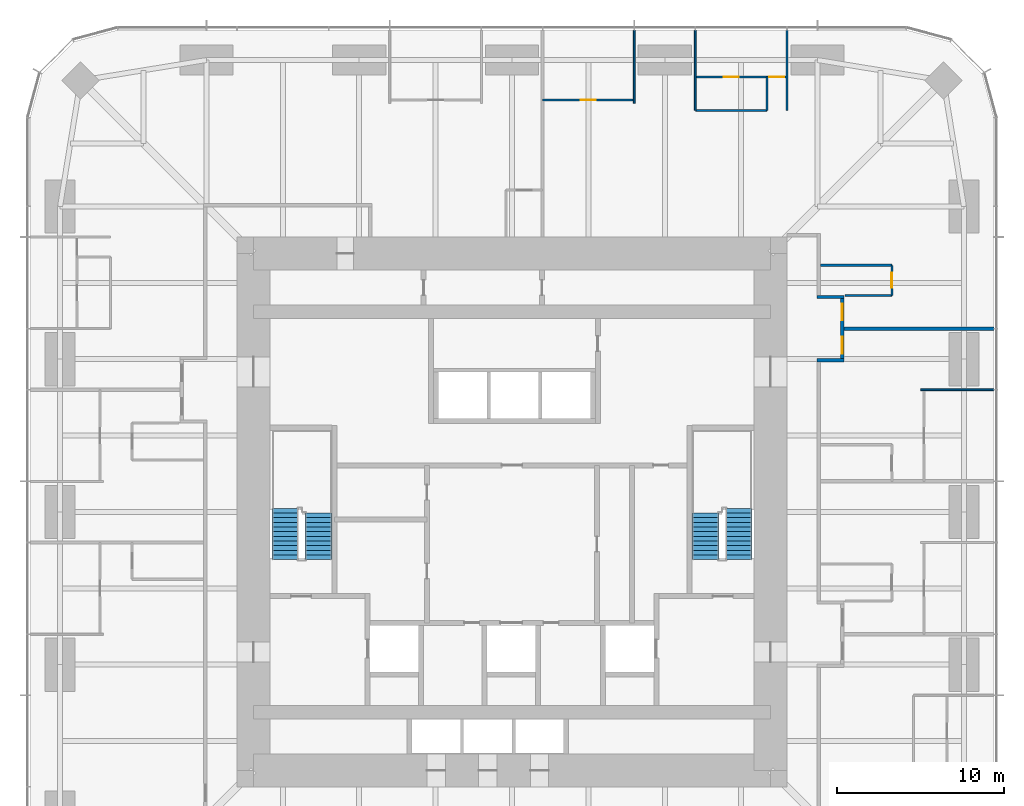
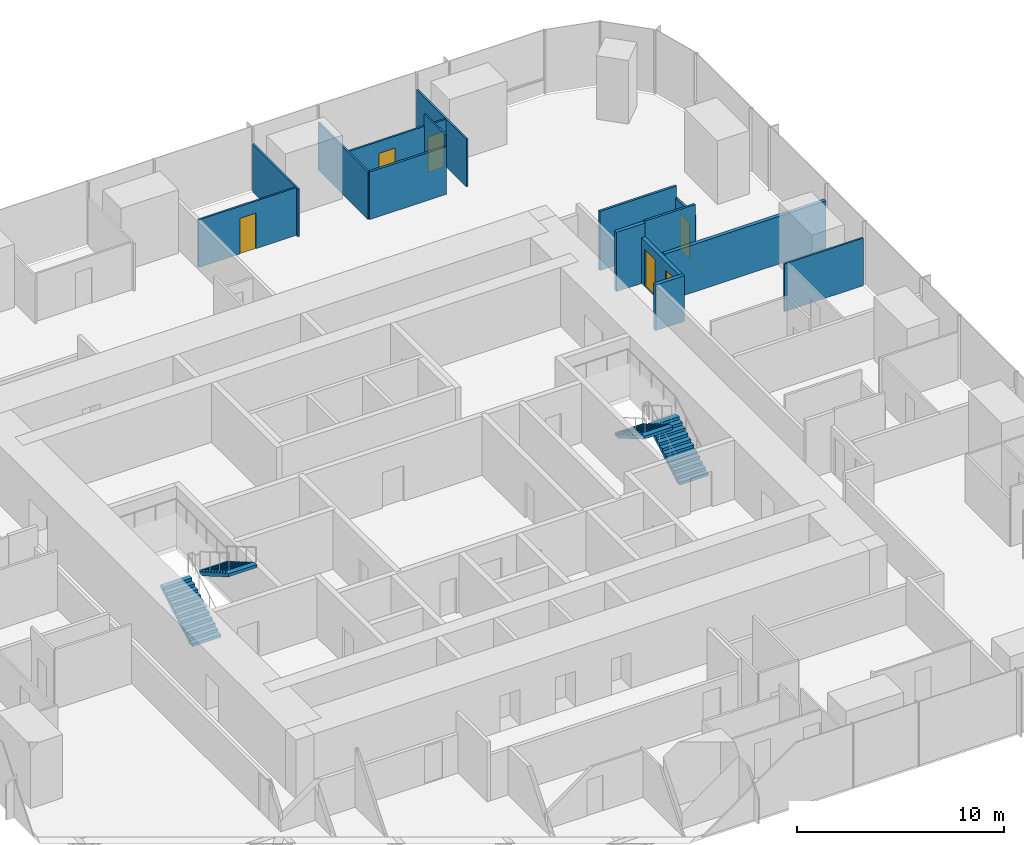
# One storey, part 12 of 13: 15 walls, 6 doors, 4 stair flights, 6 openings, 2 elements without a shape of their own.
"""IFC4 building model written with IfcOpenShell, lengths in metres."""

import ifcopenshell
import ifcopenshell.guid

model = None  # the IFC model being written
_history = None  # IfcOwnerHistory: only IFC2X3 demands one
_inside = {}  # id of a spatial element -> (the spatial element, [elements in it])
_under = {}  # id of a project, library or spatial element -> (it, [spatial elements below it])
_declared = {}  # id of a project -> (the project, [libraries it declares])
_typed = {}  # id of a type object -> (the type object, [elements of that type])
_made_of = {}  # id of a material, layer set ... -> (it, [elements and type objects made of it])


def new_model(schema):
    """Start an empty IFC model of exactly this schema.

    Asked for "IFC4X3", IfcOpenShell would pick the latest addendum, in which some entities
    have other attributes; the version numbers below select the first issue.
    IFC2X3 requires an IfcOwnerHistory on every rooted entity: one is made here for all.
    """
    global model, _history
    if schema == "IFC4X3":
        model = ifcopenshell.file(schema_version=(4, 3, 0, 0))
    else:
        model = ifcopenshell.file(schema=schema)
    _inside.clear()
    _under.clear()
    _declared.clear()
    _typed.clear()
    _made_of.clear()
    _history = None
    if model.schema == "IFC2X3":
        org = make("IfcOrganization", Name="unknown")
        user = make(
            "IfcPersonAndOrganization",
            ThePerson=make("IfcPerson", FamilyName="unknown"),
            TheOrganization=org,
        )
        app = make(
            "IfcApplication",
            ApplicationDeveloper=org,
            Version="unknown",
            ApplicationFullName="unknown",
            ApplicationIdentifier="unknown",
        )
        _history = make(
            "IfcOwnerHistory",
            OwningUser=user,
            OwningApplication=app,
            ChangeAction="ADDED",
            CreationDate=0,
        )
    return model


def make(cls, **values):
    """One entity of the class cls with the attributes given. An attribute that is None is left unset."""
    return model.create_entity(
        cls, **{name: value for name, value in values.items() if value is not None}
    )


def rooted(cls, **values):
    """An entity with a GlobalId (a new one), such as an element, a storey or a relation."""
    return make(cls, GlobalId=ifcopenshell.guid.new(), OwnerHistory=_history, **values)


def si_unit(unit_type, name, prefix=None):
    """IfcSIUnit, for example si_unit("LENGTHUNIT", "METRE", prefix="MILLI")."""
    return make("IfcSIUnit", UnitType=unit_type, Prefix=prefix, Name=name)


def assignment(units):
    """IfcUnitAssignment: the units of a project."""
    return None if units is None else make("IfcUnitAssignment", Units=units)


def point(xyz):
    """IfcCartesianPoint."""
    return None if xyz is None else make("IfcCartesianPoint", Coordinates=xyz)


def direction(xyz):
    """IfcDirection."""
    return None if xyz is None else make("IfcDirection", DirectionRatios=xyz)


def frame(location, z_axis=None, x_axis=None):
    """IfcAxis2Placement3D, a coordinate frame: its origin and axes. An axis left out is left unset."""
    return make(
        "IfcAxis2Placement3D",
        Location=point(location),
        Axis=direction(z_axis),
        RefDirection=direction(x_axis),
    )


def frame_2d(location, x_axis=None):
    """IfcAxis2Placement2D, a coordinate frame in the plane: its origin and x axis."""
    return make(
        "IfcAxis2Placement2D", Location=point(location), RefDirection=direction(x_axis)
    )


def origin():
    """The frame at (0, 0, 0) with its axes left unset."""
    return frame((0.0, 0.0, 0.0))


def place(relative_to, where):
    """IfcLocalPlacement: puts the frame where relative to a parent placement (None: the world)."""
    return make(
        "IfcLocalPlacement", PlacementRelTo=relative_to, RelativePlacement=where
    )


def context(
    kind, dimensions, precision=None, world=None, true_north=None, identifier=None
):
    """IfcGeometricRepresentationContext, for example the 3D "Model" context."""
    return make(
        "IfcGeometricRepresentationContext",
        ContextIdentifier=identifier,
        ContextType=kind,
        CoordinateSpaceDimension=dimensions,
        Precision=precision,
        WorldCoordinateSystem=world,
        TrueNorth=true_north,
    )


def subcontext(parent, identifier, kind, view, scale=None):
    """IfcGeometricRepresentationSubContext, for example "Body" below "Model"."""
    return make(
        "IfcGeometricRepresentationSubContext",
        ContextIdentifier=identifier,
        ContextType=kind,
        ParentContext=parent,
        TargetScale=scale,
        TargetView=view,
    )


def project(units=None, contexts=None):
    """IfcProject with its units and contexts."""
    return rooted(
        "IfcProject",
        Name="project",
        RepresentationContexts=contexts,
        UnitsInContext=assignment(units),
    )


def spatial(cls, under=None, at=None, **own):
    """A site, building, storey or space (cls), placed at a placement, below another one or the project."""
    s = rooted(cls, ObjectPlacement=at, **own)
    if under is not None:
        _under.setdefault(under.id(), (under, []))[1].append(s)
    return s


def polyline(points):
    """IfcPolyline through the points."""
    return make("IfcPolyline", Points=[point(p) for p in points])


def profile(cls, at=None, kind="AREA", **sizes):
    """A parametric profile (cls). Its sizes go by their IFC names, for example OverallWidth=200.0."""
    return make(cls, ProfileType=kind, Position=at, **sizes)


def rectangle(**sizes):
    """IfcRectangleProfileDef."""
    return profile("IfcRectangleProfileDef", **sizes)


def outline(outer, holes=None, kind="AREA"):
    """IfcArbitraryClosedProfileDef: a profile drawn as a closed curve; with holes, ...WithVoids."""
    if holes is None:
        return make("IfcArbitraryClosedProfileDef", ProfileType=kind, OuterCurve=outer)
    return make(
        "IfcArbitraryProfileDefWithVoids",
        ProfileType=kind,
        OuterCurve=outer,
        InnerCurves=holes,
    )


def extrude(swept, where, along, depth):
    """IfcExtrudedAreaSolid: the profile swept, set in the frame where, extruded along a direction by depth."""
    return make(
        "IfcExtrudedAreaSolid",
        SweptArea=swept,
        Position=where,
        ExtrudedDirection=direction(along),
        Depth=depth,
    )


def shape(context_of_items, identifier, shape_type, items):
    """IfcShapeRepresentation: the items that make up one representation, for example the "Body"."""
    return make(
        "IfcShapeRepresentation",
        ContextOfItems=context_of_items,
        RepresentationIdentifier=identifier,
        RepresentationType=shape_type,
        Items=items,
    )


def material(Name=None, Category=None):
    """IfcMaterial."""
    return make("IfcMaterial", Name=Name, Category=Category)


def layer(
    of_material, thickness, ventilated=None, Name=None, Category=None, Priority=None
):
    """IfcMaterialLayer: one layer of a wall or slab, of a material (None: an air gap)."""
    return make(
        "IfcMaterialLayer",
        Material=of_material,
        LayerThickness=thickness,
        IsVentilated=ventilated,
        Name=Name,
        Category=Category,
        Priority=Priority,
    )


def layer_set(layers, Name=None):
    """IfcMaterialLayerSet."""
    return make("IfcMaterialLayerSet", MaterialLayers=layers, LayerSetName=Name)


def made_of(thing, what):
    """Note that an element or type object is made of a material, layer set ...; save() writes the relation."""
    if what is not None:
        _made_of.setdefault(what.id(), (what, []))[1].append(thing)
    return thing


def type_object(cls, material=None, **own):
    """A type object (cls), such as IfcWallType, which elements share."""
    return made_of(rooted(cls, **own), material)


def element(
    cls,
    number,
    at=None,
    inside=None,
    cuts=None,
    type_object=None,
    material=None,
    context=None,
    identifier="Body",
    shape_type=None,
    held_by="IfcProductDefinitionShape",
    body=None,
    shapes=None,
    **own,
):
    """One element of the class cls, such as IfcWall. Its Tag is "e" and its number.

    at: its placement. inside: the storey or other place that contains it. cuts: it is an
    opening in that element (IfcRelVoidsElement). A single representation is given by context,
    identifier, shape_type and body (its items); several are given by shapes. held_by: the class
    of the entity that holds the representations. save() writes the other relations.
    """
    e = rooted(cls, Tag="e%d" % number, ObjectPlacement=at, **own)
    if body is not None:
        shapes = [shape(context, identifier, shape_type, body)]
    if shapes is not None:
        e.Representation = make(held_by, Representations=shapes)
    if inside is not None:
        _inside.setdefault(inside.id(), (inside, []))[1].append(e)
    if cuts is not None:
        rooted(
            "IfcRelVoidsElement", RelatingBuildingElement=cuts, RelatedOpeningElement=e
        )
    if type_object is not None:
        _typed.setdefault(type_object.id(), (type_object, []))[1].append(e)
    return made_of(e, material)


def fill(opening, filler):
    """IfcRelFillsElement: the door or window that sits in an opening."""
    return rooted(
        "IfcRelFillsElement",
        RelatingOpeningElement=opening,
        RelatedBuildingElement=filler,
    )


def aggregate(whole, parts):
    """IfcRelAggregates: a whole, such as a stair, and the parts it consists of."""
    return rooted("IfcRelAggregates", RelatingObject=whole, RelatedObjects=parts)


def save(model, path):
    """Write the relations noted so far, then the file.

    IfcRelAggregates (storeys below a building ...), IfcRelContainedInSpatialStructure (elements
    in a storey), IfcRelDefinesByType, IfcRelAssociatesMaterial and IfcRelDeclares: one each for
    every whole, place, type object, material and project.
    """
    for whole, parts in _under.values():
        aggregate(whole, parts)
    for where, things in _inside.values():
        rooted(
            "IfcRelContainedInSpatialStructure",
            RelatedElements=things,
            RelatingStructure=where,
        )
    for kind, things in _typed.values():
        rooted("IfcRelDefinesByType", RelatedObjects=things, RelatingType=kind)
    for what, things in _made_of.values():
        rooted("IfcRelAssociatesMaterial", RelatedObjects=things, RelatingMaterial=what)
    for by, libraries in _declared.values():
        rooted("IfcRelDeclares", RelatingContext=by, RelatedDefinitions=libraries)
    model.write(path)


model = new_model("IFC4")

# Units and contexts
model_context = context("Model", 3, precision=1e-05, world=origin(), true_north=direction((0.0, 1.0)))
body_context = subcontext(model_context, "Body", "Model", "MODEL_VIEW")
ifc_project = project(units=[si_unit("LENGTHUNIT", "METRE"), si_unit("AREAUNIT", "SQUARE_METRE"), si_unit("VOLUMEUNIT", "CUBIC_METRE"), si_unit("PLANEANGLEUNIT", "RADIAN"), si_unit("MASSUNIT", "GRAM", prefix="KILO")], contexts=[model_context])

# Site, building, storey
site_placement = place(None, origin())
site = spatial("IfcSite", under=ifc_project, at=site_placement, CompositionType="ELEMENT")
building_placement = place(site_placement, origin())
building = spatial("IfcBuilding", under=site, at=building_placement, Name="Khuree Lantern Residences", CompositionType="ELEMENT")
storey_placement = place(building_placement, frame((0.0, 0.0, 133.5)))
storey = spatial("IfcBuildingStorey", under=building, at=storey_placement, Name="L33", CompositionType="ELEMENT", Elevation=133.5)

# Wall
ifc_material_1 = material(Name="Moisture-resistant gypsum board on steel studs", Category="steel")
ifc_layer_1 = layer(ifc_material_1, 0.125)
ifc_layer_set_1 = layer_set([ifc_layer_1], Name="BATHROOM WALL BTW125")
wall_type_1 = type_object("IfcWallType", Name="BATHROOM WALL BTW125", PredefinedType="PARTITIONING", material=ifc_layer_set_1)
wall_1_placement = place(storey_placement, frame((15.2880859375, 24.079833984375, 0.0), z_axis=(0.0, 0.0, 1.0), x_axis=(-1.0, 0.0, 0.0)))
element("IfcWall", 1, at=wall_1_placement, inside=storey, type_object=wall_type_1, Name="L33 BATHROOM WALL 03", PredefinedType="PARTITIONING", context=body_context, shape_type="SweptSolid", body=[
    extrude(rectangle(XDim=4.296142578125, YDim=0.125, at=frame_2d((2.14794921875, 0.0))), origin(), (0.0, 0.0, 1.0), 2.81005859375),
])

# Wall, opening, door
wall_2_placement = place(storey_placement, frame((22.77978515625, 12.991943359375, 0.0), z_axis=(0.0, 0.0, 1.0), x_axis=(0.0, 1.0, 0.0)))
wall_2 = element("IfcWall", 2, at=wall_2_placement, inside=storey, type_object=wall_type_1, Name="L33 BATHROOM WALL 03", PredefinedType="PARTITIONING", context=body_context, shape_type="SweptSolid", body=[
    extrude(rectangle(XDim=1.800048828125, YDim=0.125, at=frame_2d((0.89990234375, 0.0))), origin(), (0.0, 0.0, 1.0), 2.81005859375),
])
opening_1_placement = place(wall_2_placement, frame((0.449951171875, 0.0, 0.0)))
opening_1 = element("IfcOpeningElement", 3, at=opening_1_placement, cuts=wall_2, Name="Opening 33-033", PredefinedType="OPENING", context=body_context, shape_type="SweptSolid", body=[
    extrude(rectangle(XDim=0.89990234375, YDim=2.10009765625, at=frame_2d((0.449951171875, 1.050048828125))), frame((0.0, 0.072509765625, 0.0), z_axis=(0.0, -1.0, 0.0), x_axis=(1.0, 0.0, 0.0)), (0.0, 0.0, 1.0), 0.14501953125),
])
ifc_material_2 = material(Name="Timber door leaf in hardwood frame", Category="wood")
door_type_1 = type_object("IfcDoorType", Name="BATHROOM DOOR 900X2100", OperationType="SINGLE_SWING_LEFT", PredefinedType="DOOR", material=ifc_material_2)
door_1_placement = place(opening_1_placement, origin())
door_1 = element("IfcDoor", 4, at=door_1_placement, inside=storey, type_object=door_type_1, Name="Bathroom door 33-033", OperationType="SINGLE_SWING_LEFT", OverallHeight=2.10009765625, OverallWidth=0.89990234375, PredefinedType="DOOR", context=body_context, shape_type="SweptSolid", body=[
    extrude(rectangle(XDim=0.89990234375, YDim=2.10009765625, at=frame_2d((0.449951171875, 1.050048828125))), frame((0.0, 0.02490234375, 0.0), z_axis=(0.0, -1.0, 0.0), x_axis=(1.0, 0.0, 0.0)), (0.0, 0.0, 1.0), 0.050048828125),
])
fill(opening_1, door_1)

# Walls
wall_3_placement = place(storey_placement, frame((19.969970703125, 12.991943359375, 0.0), z_axis=(0.0, 0.0, 1.0), x_axis=(1.0, 0.0, 0.0)))
element("IfcWall", 5, at=wall_3_placement, inside=storey, type_object=wall_type_1, Name="L33 BATHROOM WALL 03", PredefinedType="PARTITIONING", context=body_context, shape_type="SweptSolid", body=[
    extrude(rectangle(XDim=2.809814453125, YDim=0.125, at=frame_2d((1.40478515625, 0.0))), origin(), (0.0, 0.0, 1.0), 3.5),
])
wall_4_placement = place(storey_placement, frame((18.5, 14.7919921875, 0.0), z_axis=(0.0, 0.0, 1.0), x_axis=(1.0, 0.0, 0.0)))
element("IfcWall", 6, at=wall_4_placement, inside=storey, type_object=wall_type_1, Name="L33 BATHROOM WALL 03", PredefinedType="PARTITIONING", context=body_context, shape_type="SweptSolid", body=[
    extrude(rectangle(XDim=4.27978515625, YDim=0.125, at=frame_2d((2.139892578125, 0.0))), origin(), (0.0, 0.0, 1.0), 3.5),
])
ifc_material_3 = material(Name="Gypsum board on steel studs", Category="steel")
ifc_layer_2 = layer(ifc_material_3, 0.199951171875)
ifc_layer_set_2 = layer_set([ifc_layer_2], Name="CORRIDOR WALL CRW200 EI 60")
wall_type_2 = type_object("IfcWallType", Name="CORRIDOR WALL CRW200 EI 60", PredefinedType="PARTITIONING", material=ifc_layer_set_2)
wall_5_placement = place(storey_placement, frame((18.300048828125, 9.092041015625, 0.0), z_axis=(0.0, 0.0, 1.0), x_axis=(1.0, 0.0, 0.0)))
element("IfcWall", 7, at=wall_5_placement, inside=storey, type_object=wall_type_2, Name="L33 CORRIDOR ALCOVE WALL EAST", PredefinedType="PARTITIONING", context=body_context, shape_type="SweptSolid", body=[
    extrude(rectangle(XDim=1.599853515625, YDim=0.199951171875, at=frame_2d((0.7998046875, 0.0))), origin(), (0.0, 0.0, 1.0), 2.699951171875),
])
wall_6_placement = place(storey_placement, frame((18.300048828125, 12.89208984375, 0.0), z_axis=(0.0, 0.0, 1.0), x_axis=(1.0, 0.0, 0.0)))
element("IfcWall", 8, at=wall_6_placement, inside=storey, type_object=wall_type_2, Name="L33 CORRIDOR ALCOVE WALL EAST", PredefinedType="PARTITIONING", context=body_context, shape_type="SweptSolid", body=[
    extrude(rectangle(XDim=1.599853515625, YDim=0.199951171875, at=frame_2d((0.7998046875, 0.0))), origin(), (0.0, 0.0, 1.0), 3.5),
])

# Wall, openings, doors
wall_7_placement = place(storey_placement, frame((19.800048828125, 9.19189453125, 0.0), z_axis=(0.0, 0.0, 1.0), x_axis=(0.0, 1.0, 0.0)))
wall_7 = element("IfcWall", 9, at=wall_7_placement, inside=storey, type_object=wall_type_2, Name="L33 CORRIDOR ALCOVE WALL EAST", PredefinedType="PARTITIONING", context=body_context, shape_type="SweptSolid", body=[
    extrude(rectangle(XDim=3.60009765625, YDim=0.199951171875, at=frame_2d((1.800048828125, 0.0))), origin(), (0.0, 0.0, 1.0), 2.699951171875),
])
opening_2_placement = place(wall_7_placement, frame((0.300048828125, 0.0, 0.0)))
opening_2 = element("IfcOpeningElement", 10, at=opening_2_placement, cuts=wall_7, Name="Opening 33-029", PredefinedType="OPENING", context=body_context, shape_type="SweptSolid", body=[
    extrude(rectangle(XDim=1.0, YDim=2.199951171875, at=frame_2d((0.5, 1.10009765625))), frame((0.0, 0.10986328125, 0.0), z_axis=(0.0, -1.0, 0.0), x_axis=(1.0, 0.0, 0.0)), (0.0, 0.0, 1.0), 0.219970703125),
])
opening_3_placement = place(wall_7_placement, frame((2.300048828125, 0.0, 0.0)))
opening_3 = element("IfcOpeningElement", 11, at=opening_3_placement, cuts=wall_7, Name="Opening 33-034", PredefinedType="OPENING", context=body_context, shape_type="SweptSolid", body=[
    extrude(rectangle(XDim=1.0, YDim=2.199951171875, at=frame_2d((0.5, 1.10009765625))), frame((0.0, 0.10986328125, 0.0), z_axis=(0.0, -1.0, 0.0), x_axis=(1.0, 0.0, 0.0)), (0.0, 0.0, 1.0), 0.219970703125),
])
door_type_2 = type_object("IfcDoorType", Name="APARTMENT ENTRANCE DOOR 1000X2200 EI 30S", OperationType="SINGLE_SWING_LEFT", PredefinedType="DOOR", material=ifc_material_2)
door_2_placement = place(opening_2_placement, origin())
door_2 = element("IfcDoor", 12, at=door_2_placement, inside=storey, type_object=door_type_2, Name="Apartment 02 entrance door 33-029", OperationType="SINGLE_SWING_LEFT", OverallHeight=2.199951171875, OverallWidth=1.0, PredefinedType="DOOR", context=body_context, shape_type="SweptSolid", body=[
    extrude(rectangle(XDim=1.0, YDim=2.199951171875, at=frame_2d((0.5, 1.10009765625))), frame((0.0, 0.02490234375, 0.0), z_axis=(0.0, -1.0, 0.0), x_axis=(1.0, 0.0, 0.0)), (0.0, 0.0, 1.0), 0.050048828125),
])
fill(opening_2, door_2)
door_type_3 = type_object("IfcDoorType", Name="APARTMENT ENTRANCE DOOR 1000X2200 EI 30S RIGHT HAND", OperationType="SINGLE_SWING_RIGHT", PredefinedType="DOOR", material=ifc_material_2)
door_3_placement = place(opening_3_placement, origin())
door_3 = element("IfcDoor", 13, at=door_3_placement, inside=storey, type_object=door_type_3, Name="Apartment 03 entrance door 33-034", OperationType="SINGLE_SWING_RIGHT", OverallHeight=2.199951171875, OverallWidth=1.0, PredefinedType="DOOR", context=body_context, shape_type="SweptSolid", body=[
    extrude(rectangle(XDim=1.0, YDim=2.199951171875, at=frame_2d((0.5, 1.10009765625))), frame((0.0, 0.02490234375, 0.0), z_axis=(0.0, -1.0, 0.0), x_axis=(1.0, 0.0, 0.0)), (0.0, 0.0, 1.0), 0.050048828125),
])
fill(opening_3, door_3)

# Walls
ifc_layer_3 = layer(ifc_material_3, 0.199951171875)
ifc_layer_set_3 = layer_set([ifc_layer_3], Name="DEMISING WALL DMW200 EI 90")
wall_type_3 = type_object("IfcWallType", Name="DEMISING WALL DMW200 EI 90", PredefinedType="PARTITIONING", material=ifc_layer_set_3)
wall_8_placement = place(storey_placement, frame((19.89990234375, 10.991943359375, 0.0), z_axis=(0.0, 0.0, 1.0), x_axis=(1.0, 0.0, 0.0)))
element("IfcWall", 14, at=wall_8_placement, inside=storey, type_object=wall_type_3, Name="L33 DEMISING WALL 03", PredefinedType="PARTITIONING", context=body_context, shape_type="SweptSolid", body=[
    extrude(rectangle(XDim=9.0, YDim=0.199951171875, at=frame_2d((4.5, 0.0))), origin(), (0.0, 0.0, 1.0), 2.81005859375),
])
ifc_layer_4 = layer(ifc_material_3, 0.10009765625)
ifc_layer_set_4 = layer_set([ifc_layer_4], Name="PARTITION PT100")
wall_type_4 = type_object("IfcWallType", Name="PARTITION PT100", PredefinedType="PARTITIONING", material=ifc_layer_set_4)
wall_9_placement = place(storey_placement, frame((24.5, 7.327880859375, 0.0), z_axis=(0.0, 0.0, 1.0), x_axis=(1.0, 0.0, 0.0)))
element("IfcWall", 15, at=wall_9_placement, inside=storey, type_object=wall_type_4, Name="L33 PARTITION 02", PredefinedType="PARTITIONING", context=body_context, shape_type="SweptSolid", body=[
    extrude(rectangle(XDim=4.39990234375, YDim=0.10009765625, at=frame_2d((2.199951171875, 0.0))), origin(), (0.0, 0.0, 1.0), 2.81005859375),
])
for number, where, z_axis, x_axis, name in (
    (16, (16.488037109375, 24.079833984375, 0.0), (0.0, 0.0, 1.0), (0.0, 1.0, 0.0), "L33 PARTITION 03"),
    (17, (10.991943359375, 24.079833984375, 0.0), (0.0, 0.0, 1.0), (0.0, 1.0, 0.0), "L33 PARTITION 03"),
):
    element("IfcWall", number, at=place(storey_placement, frame(where, z_axis=z_axis, x_axis=x_axis)), inside=storey, type_object=wall_type_4, Name=name, PredefinedType="PARTITIONING", context=body_context, shape_type="SweptSolid", body=[
        extrude(rectangle(XDim=4.820068359375, YDim=0.10009765625, at=frame_2d((2.41015625, 0.0))), origin(), (0.0, 0.0, 1.0), 2.81005859375),
    ])
wall_10_placement = place(storey_placement, frame((7.327880859375, 24.5, 0.0), z_axis=(0.0, 0.0, 1.0), x_axis=(0.0, 1.0, 0.0)))
element("IfcWall", 18, at=wall_10_placement, inside=storey, type_object=wall_type_4, Name="L33 PARTITION 03", PredefinedType="PARTITIONING", context=body_context, shape_type="SweptSolid", body=[
    extrude(rectangle(XDim=4.39990234375, YDim=0.10009765625, at=frame_2d((2.199951171875, 0.0))), origin(), (0.0, 0.0, 1.0), 2.81005859375),
])

# Wall, openings, doors
wall_11_placement = place(storey_placement, frame((16.488037109375, 26.079833984375, 0.0), z_axis=(0.0, 0.0, 1.0), x_axis=(-1.0, 0.0, 0.0)))
wall_11 = element("IfcWall", 19, at=wall_11_placement, inside=storey, type_object=wall_type_4, Name="L33 PARTITION 03", PredefinedType="PARTITIONING", context=body_context, shape_type="SweptSolid", body=[
    extrude(rectangle(XDim=5.49609375, YDim=0.10009765625, at=frame_2d((2.748046875, 0.0))), origin(), (0.0, 0.0, 1.0), 2.81005859375),
])
opening_4_placement = place(wall_11_placement, frame((0.14990234375, 0.0, 0.0)))
opening_4 = element("IfcOpeningElement", 20, at=opening_4_placement, cuts=wall_11, Name="Opening 33-030", PredefinedType="OPENING", context=body_context, shape_type="SweptSolid", body=[
    extrude(rectangle(XDim=0.89990234375, YDim=2.10009765625, at=frame_2d((0.449951171875, 1.050048828125))), frame((0.0, 0.06005859375, 0.0), z_axis=(0.0, -1.0, 0.0), x_axis=(1.0, 0.0, 0.0)), (0.0, 0.0, 1.0), 0.1201171875),
])
opening_5_placement = place(wall_11_placement, frame((2.89794921875, 0.0, 0.0)))
opening_5 = element("IfcOpeningElement", 21, at=opening_5_placement, cuts=wall_11, Name="Opening 33-031", PredefinedType="OPENING", context=body_context, shape_type="SweptSolid", body=[
    extrude(rectangle(XDim=0.89990234375, YDim=2.10009765625, at=frame_2d((0.449951171875, 1.050048828125))), frame((0.0, 0.06005859375, 0.0), z_axis=(0.0, -1.0, 0.0), x_axis=(1.0, 0.0, 0.0)), (0.0, 0.0, 1.0), 0.1201171875),
])
door_4_placement = place(opening_5_placement, origin())
door_4 = element("IfcDoor", 22, at=door_4_placement, inside=storey, type_object=door_type_1, Name="Bathroom door 33-031", OperationType="SINGLE_SWING_LEFT", OverallHeight=2.10009765625, OverallWidth=0.89990234375, PredefinedType="DOOR", context=body_context, shape_type="SweptSolid", body=[
    extrude(rectangle(XDim=0.89990234375, YDim=2.10009765625, at=frame_2d((0.449951171875, 1.050048828125))), frame((0.0, 0.02490234375, 0.0), z_axis=(0.0, -1.0, 0.0), x_axis=(1.0, 0.0, 0.0)), (0.0, 0.0, 1.0), 0.050048828125),
])
fill(opening_5, door_4)
door_type_4 = type_object("IfcDoorType", Name="BEDROOM DOOR 900X2100", OperationType="SINGLE_SWING_LEFT", PredefinedType="DOOR", material=ifc_material_2)
door_5_placement = place(opening_4_placement, origin())
door_5 = element("IfcDoor", 23, at=door_5_placement, inside=storey, type_object=door_type_4, Name="Bedroom door 33-030", OperationType="SINGLE_SWING_LEFT", OverallHeight=2.10009765625, OverallWidth=0.89990234375, PredefinedType="DOOR", context=body_context, shape_type="SweptSolid", body=[
    extrude(rectangle(XDim=0.89990234375, YDim=2.10009765625, at=frame_2d((0.449951171875, 1.050048828125))), frame((0.0, 0.02490234375, 0.0), z_axis=(0.0, -1.0, 0.0), x_axis=(1.0, 0.0, 0.0)), (0.0, 0.0, 1.0), 0.050048828125),
])
fill(opening_4, door_5)

# Wall
wall_12_placement = place(storey_placement, frame((15.2880859375, 24.079833984375, 0.0), z_axis=(0.0, 0.0, 1.0), x_axis=(0.0, 1.0, 0.0)))
element("IfcWall", 24, at=wall_12_placement, inside=storey, type_object=wall_type_4, Name="L33 PARTITION 03", PredefinedType="PARTITIONING", context=body_context, shape_type="SweptSolid", body=[
    extrude(rectangle(XDim=2.0, YDim=0.10009765625, at=frame_2d((1.0, 0.0))), origin(), (0.0, 0.0, 1.0), 3.5),
])

# Wall, opening, door
wall_13_placement = place(storey_placement, frame((7.327880859375, 24.699951171875, 0.0), z_axis=(0.0, 0.0, 1.0), x_axis=(-1.0, 0.0, 0.0)))
wall_13 = element("IfcWall", 25, at=wall_13_placement, inside=storey, type_object=wall_type_4, Name="L33 PARTITION 03", PredefinedType="PARTITIONING", context=body_context, shape_type="SweptSolid", body=[
    extrude(rectangle(XDim=5.495849609375, YDim=0.10009765625, at=frame_2d((2.748046875, 0.0))), origin(), (0.0, 0.0, 1.0), 2.81005859375),
])
opening_6_placement = place(wall_13_placement, frame((2.298095703125, 0.0, 0.0)))
opening_6 = element("IfcOpeningElement", 26, at=opening_6_placement, cuts=wall_13, Name="Opening 33-032", PredefinedType="OPENING", context=body_context, shape_type="SweptSolid", body=[
    extrude(rectangle(XDim=0.89990234375, YDim=2.10009765625, at=frame_2d((0.449951171875, 1.050048828125))), frame((0.0, 0.06005859375, 0.0), z_axis=(0.0, -1.0, 0.0), x_axis=(1.0, 0.0, 0.0)), (0.0, 0.0, 1.0), 0.1201171875),
])
door_type_5 = type_object("IfcDoorType", Name="BEDROOM DOOR 900X2100 RIGHT HAND", OperationType="SINGLE_SWING_RIGHT", PredefinedType="DOOR", material=ifc_material_2)
door_6_placement = place(opening_6_placement, origin())
door_6 = element("IfcDoor", 27, at=door_6_placement, inside=storey, type_object=door_type_5, Name="Bedroom door 33-032", OperationType="SINGLE_SWING_RIGHT", OverallHeight=2.10009765625, OverallWidth=0.89990234375, PredefinedType="DOOR", context=body_context, shape_type="SweptSolid", body=[
    extrude(rectangle(XDim=0.89990234375, YDim=2.10009765625, at=frame_2d((0.449951171875, 1.050048828125))), frame((0.0, 0.02490234375, 0.0), z_axis=(0.0, -1.0, 0.0), x_axis=(1.0, 0.0, 0.0)), (0.0, 0.0, 1.0), 0.050048828125),
])
fill(opening_6, door_6)

# Stair, stair flights
ifc_material_4 = material(Name="Concrete C40/50", Category="concrete")
stair_type = type_object("IfcStairType", Name="STAIR ST1 HALF TURN 3600", PredefinedType="HALF_TURN_STAIR", material=ifc_material_4)
stair_1_placement = place(storey_placement, origin())
stair_1 = element("IfcStair", 28, at=stair_1_placement, inside=storey, type_object=stair_type, Name="Stair ST1", PredefinedType="HALF_TURN_STAIR")
stair_flight_type = type_object("IfcStairFlightType", Name="STAIR FLIGHT SF1 1600", PredefinedType="STRAIGHT", material=ifc_material_4)
stair_flight_1_placement = place(storey_placement, frame((-13.60009765625, -2.860107421875, 0.0), z_axis=(0.0, 0.0, 1.0), x_axis=(0.0, 1.0, 0.0)))
stair_flight_1 = element("IfcStairFlight", 29, at=stair_flight_1_placement, type_object=stair_flight_type, Name="ST1 flight 1", NumberOfRisers=12, NumberOfTreads=11, PredefinedType="STRAIGHT", RiserHeight=0.163043478, TreadLength=0.28, context=body_context, shape_type="SweptSolid", body=[
    extrude(outline(polyline([(0.0, 0.0), (0.0, 0.1630859375), (0.280029296875, 0.1630859375), (0.280029296875, 0.326171875), (0.56005859375, 0.326171875), (0.56005859375, 0.489013671875), (0.840087890625, 0.489013671875), (0.840087890625, 0.652099609375), (1.1201171875, 0.652099609375), (1.1201171875, 0.815185546875), (1.39990234375, 0.815185546875), (1.39990234375, 0.978271484375), (1.679931640625, 0.978271484375), (1.679931640625, 1.141357421875), (1.9599609375, 1.141357421875), (1.9599609375, 1.304443359375), (2.239990234375, 1.304443359375), (2.239990234375, 1.46728515625), (2.52001953125, 1.46728515625), (2.52001953125, 1.63037109375), (2.800048828125, 1.63037109375), (2.800048828125, 1.79345703125), (3.080078125, 1.79345703125), (3.080078125, 1.95654296875), (3.080078125, 1.6201171875), (0.2978515625, 0.0), (0.0, 0.0)])), frame((0.0, 0.800048828125, 0.0), z_axis=(0.0, -1.0, 0.0), x_axis=(1.0, 0.0, 0.0)), (0.0, 0.0, 1.0), 1.60009765625),
])
stair_flight_2_placement = place(storey_placement, frame((-11.60009765625, -0.06005859375, 1.95654296875), z_axis=(0.0, 0.0, 1.0), x_axis=(0.0, -1.0, 0.0)))
stair_flight_2 = element("IfcStairFlight", 30, at=stair_flight_2_placement, type_object=stair_flight_type, Name="ST1 flight 2", NumberOfRisers=11, NumberOfTreads=10, PredefinedType="STRAIGHT", RiserHeight=0.163043478, TreadLength=0.28, context=body_context, shape_type="SweptSolid", body=[
    extrude(outline(polyline([(0.0, 0.0), (0.0, 0.1630859375), (0.280029296875, 0.1630859375), (0.280029296875, 0.326171875), (0.56005859375, 0.326171875), (0.56005859375, 0.489013671875), (0.840087890625, 0.489013671875), (0.840087890625, 0.652099609375), (1.1201171875, 0.652099609375), (1.1201171875, 0.815185546875), (1.39990234375, 0.815185546875), (1.39990234375, 0.978271484375), (1.679931640625, 0.978271484375), (1.679931640625, 1.141357421875), (1.9599609375, 1.141357421875), (1.9599609375, 1.304443359375), (2.239990234375, 1.304443359375), (2.239990234375, 1.46728515625), (2.52001953125, 1.46728515625), (2.52001953125, 1.63037109375), (2.800048828125, 1.63037109375), (2.800048828125, 1.79345703125), (2.800048828125, 1.45703125), (0.2978515625, 0.0), (0.0, 0.0)])), frame((0.0, 0.800048828125, 0.0), z_axis=(0.0, -1.0, 0.0), x_axis=(1.0, 0.0, 0.0)), (0.0, 0.0, 1.0), 1.60009765625),
])
aggregate(stair_1, [stair_flight_1, stair_flight_2])

stair_2_placement = place(storey_placement, origin())
stair_2 = element("IfcStair", 31, at=stair_2_placement, inside=storey, type_object=stair_type, Name="Stair ST2", PredefinedType="HALF_TURN_STAIR")
stair_flight_3_placement = place(storey_placement, frame((13.60009765625, -2.860107421875, 0.0), z_axis=(0.0, 0.0, 1.0), x_axis=(0.0, 1.0, 0.0)))
stair_flight_3 = element("IfcStairFlight", 32, at=stair_flight_3_placement, type_object=stair_flight_type, Name="ST2 flight 1", NumberOfRisers=12, NumberOfTreads=11, PredefinedType="STRAIGHT", RiserHeight=0.163043478, TreadLength=0.28, context=body_context, shape_type="SweptSolid", body=[
    extrude(outline(polyline([(0.0, 0.0), (0.0, 0.1630859375), (0.280029296875, 0.1630859375), (0.280029296875, 0.326171875), (0.56005859375, 0.326171875), (0.56005859375, 0.489013671875), (0.840087890625, 0.489013671875), (0.840087890625, 0.652099609375), (1.1201171875, 0.652099609375), (1.1201171875, 0.815185546875), (1.39990234375, 0.815185546875), (1.39990234375, 0.978271484375), (1.679931640625, 0.978271484375), (1.679931640625, 1.141357421875), (1.9599609375, 1.141357421875), (1.9599609375, 1.304443359375), (2.239990234375, 1.304443359375), (2.239990234375, 1.46728515625), (2.52001953125, 1.46728515625), (2.52001953125, 1.63037109375), (2.800048828125, 1.63037109375), (2.800048828125, 1.79345703125), (3.080078125, 1.79345703125), (3.080078125, 1.95654296875), (3.080078125, 1.6201171875), (0.2978515625, 0.0), (0.0, 0.0)])), frame((0.0, 0.800048828125, 0.0), z_axis=(0.0, -1.0, 0.0), x_axis=(1.0, 0.0, 0.0)), (0.0, 0.0, 1.0), 1.60009765625),
])
stair_flight_4_placement = place(storey_placement, frame((11.60009765625, -0.06005859375, 1.95654296875), z_axis=(0.0, 0.0, 1.0), x_axis=(0.0, -1.0, 0.0)))
stair_flight_4 = element("IfcStairFlight", 33, at=stair_flight_4_placement, type_object=stair_flight_type, Name="ST2 flight 2", NumberOfRisers=11, NumberOfTreads=10, PredefinedType="STRAIGHT", RiserHeight=0.163043478, TreadLength=0.28, context=body_context, shape_type="SweptSolid", body=[
    extrude(outline(polyline([(0.0, 0.0), (0.0, 0.1630859375), (0.280029296875, 0.1630859375), (0.280029296875, 0.326171875), (0.56005859375, 0.326171875), (0.56005859375, 0.489013671875), (0.840087890625, 0.489013671875), (0.840087890625, 0.652099609375), (1.1201171875, 0.652099609375), (1.1201171875, 0.815185546875), (1.39990234375, 0.815185546875), (1.39990234375, 0.978271484375), (1.679931640625, 0.978271484375), (1.679931640625, 1.141357421875), (1.9599609375, 1.141357421875), (1.9599609375, 1.304443359375), (2.239990234375, 1.304443359375), (2.239990234375, 1.46728515625), (2.52001953125, 1.46728515625), (2.52001953125, 1.63037109375), (2.800048828125, 1.63037109375), (2.800048828125, 1.79345703125), (2.800048828125, 1.45703125), (0.2978515625, 0.0), (0.0, 0.0)])), frame((0.0, 0.800048828125, 0.0), z_axis=(0.0, -1.0, 0.0), x_axis=(1.0, 0.0, 0.0)), (0.0, 0.0, 1.0), 1.60009765625),
])
aggregate(stair_2, [stair_flight_3, stair_flight_4])

save(model, "model.ifc")
